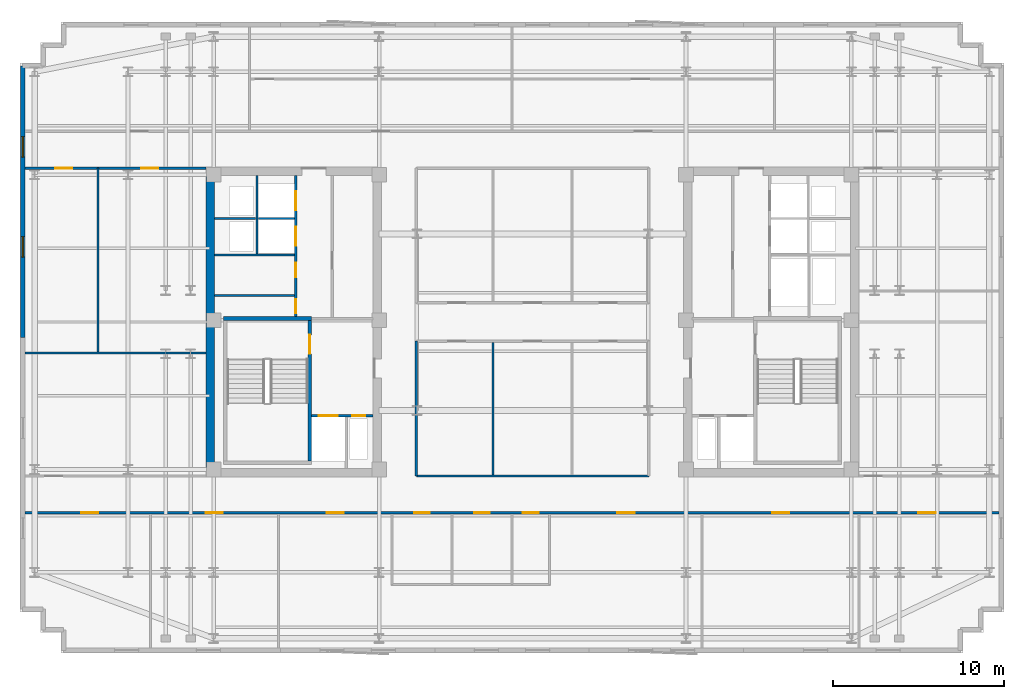
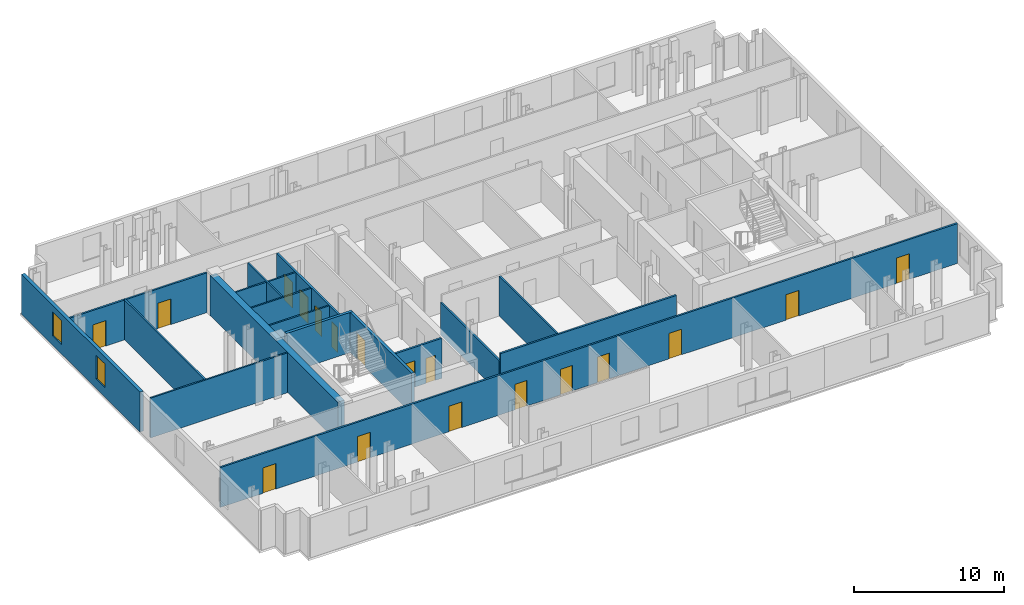
# One storey, part 4 of 9: 18 doors, 18 walls, 2 windows, 20 openings.
"""IFC4 building model written with IfcOpenShell, lengths in metres."""

from ifc_helpers import new_model, si_unit, direction, frame, frame_2d, origin, place, context, subcontext, project, spatial, rectangle, extrude, material, layer, layer_set, type_object, element, fill, save


model = new_model("IFC4")

# Units and contexts
model_context = context("Model", 3, precision=1e-05, world=origin(), true_north=direction((0.0, 1.0)))
body_context = subcontext(model_context, "Body", "Model", "MODEL_VIEW")
ifc_project = project(units=[si_unit("LENGTHUNIT", "METRE"), si_unit("AREAUNIT", "SQUARE_METRE"), si_unit("VOLUMEUNIT", "CUBIC_METRE"), si_unit("PLANEANGLEUNIT", "RADIAN"), si_unit("MASSUNIT", "GRAM", prefix="KILO")], contexts=[model_context])

# Site, building, storey
site_placement = place(None, origin())
site = spatial("IfcSite", under=ifc_project, at=site_placement, CompositionType="ELEMENT")
building_placement = place(site_placement, origin())
building = spatial("IfcBuilding", under=site, at=building_placement, Name="Velakula Bourse", CompositionType="ELEMENT")
storey_placement = place(building_placement, frame((0.0, 0.0, 229.199951171875)))
storey = spatial("IfcBuildingStorey", under=building, at=storey_placement, Name="L62", CompositionType="ELEMENT", Elevation=229.199951171875)

# Wall, opening, door
ifc_material_1 = material(Name="Concrete M50 (fck 50 MPa)", Category="concrete")
ifc_layer_1 = layer(ifc_material_1, 0.2099609375, Name="Concrete M50 (fck 50 MPa)", Category="concrete")
ifc_layer_set_1 = layer_set([ifc_layer_1], Name="Concrete M50 (fck 50 MPa)")
wall_type_1 = type_object("IfcWallType", Name="WL-CORE-210", PredefinedType="SHEAR", material=ifc_layer_set_1)
wall_1_placement = place(storey_placement, frame((-12.9951171875, -8.10009765625, 0.0), z_axis=(0.0, 0.0, 1.0), x_axis=(0.0, 1.0, 0.0)))
wall_1 = element("IfcWall", 1, at=wall_1_placement, inside=storey, type_object=wall_type_1, Name="L62 Core W Stairwell Shear Wall IN", PredefinedType="SHEAR", context=body_context, shape_type="SweptSolid", body=[
    extrude(rectangle(XDim=8.2001953125, YDim=0.2099609375, at=frame_2d((4.10009765625, 0.0))), origin(), (0.0, 0.0, 1.0), 3.27001953125),
])
opening_1_placement = place(wall_1_placement, frame((6.25, 0.0, 0.0)))
opening_1 = element("IfcOpeningElement", 2, at=opening_1_placement, cuts=wall_1, Name="Opening D-STW1", PredefinedType="OPENING", context=body_context, shape_type="SweptSolid", body=[
    extrude(rectangle(XDim=1.10009765625, YDim=2.14990234375, at=frame_2d((0.550048828125, 1.074951171875))), frame((0.0, 0.114990234375, 0.0), z_axis=(0.0, -1.0, 0.0), x_axis=(1.0, 0.0, 0.0)), (0.0, 0.0, 1.0), 0.22998046875),
])
ifc_material_2 = material(Name="Galvanised painted hollow steel fire door", Category="steel")
door_type_1 = type_object("IfcDoorType", Name="DR-FD120-1100x2150", OperationType="NOTDEFINED", PredefinedType="DOOR", material=ifc_material_2)
door_1_placement = place(opening_1_placement, origin())
door_1 = element("IfcDoor", 3, at=door_1_placement, inside=storey, type_object=door_type_1, Name="L62 Stair ST-W1 Fire Door", OperationType="SINGLE_SWING_LEFT", OverallHeight=2.14990234375, OverallWidth=1.10009765625, PredefinedType="DOOR", context=body_context, shape_type="SweptSolid", body=[
    extrude(rectangle(XDim=1.10009765625, YDim=2.14990234375, at=frame_2d((0.550048828125, 1.074951171875))), frame((0.0, 0.02490234375, 0.0), z_axis=(0.0, -1.0, 0.0), x_axis=(1.0, 0.0, 0.0)), (0.0, 0.0, 1.0), 0.050048828125),
])
fill(opening_1, door_1)

# Walls
wall_2_placement = place(storey_placement, frame((-12.889892578125, 0.205078125, 0.0), z_axis=(0.0, 0.0, 1.0), x_axis=(-1.0, 0.0, 0.0)))
element("IfcWall", 4, at=wall_2_placement, inside=storey, type_object=wall_type_1, Name="L62 Core W Stairwell Shear Wall N", PredefinedType="SHEAR", context=body_context, shape_type="SweptSolid", body=[
    extrude(rectangle(XDim=5.14013671875, YDim=0.2099609375, at=frame_2d((2.570068359375, 0.0))), origin(), (0.0, 0.0, 1.0), 3.27001953125),
])
ifc_layer_2 = layer(ifc_material_1, 0.5, Name="Concrete M50 (fck 50 MPa)", Category="concrete")
ifc_layer_set_2 = layer_set([ifc_layer_2], Name="Concrete M50 (fck 50 MPa)")
wall_type_2 = type_object("IfcWallType", Name="WL-CORE-500", PredefinedType="SHEAR", material=ifc_layer_set_2)
wall_3_placement = place(storey_placement, frame((-18.800048828125, -8.550048828125, 0.0), z_axis=(0.0, 0.0, 1.0), x_axis=(0.0, 1.0, 0.0)))
element("IfcWall", 5, at=wall_3_placement, inside=storey, type_object=wall_type_2, Name="L62 Core W Shear Wall W", PredefinedType="SHEAR", context=body_context, shape_type="SweptSolid", body=[
    extrude(rectangle(XDim=17.10009765625, YDim=0.5, at=frame_2d((8.550048828125, 0.0))), origin(), (0.0, 0.0, 1.0), 3.27001953125),
])

# Wall, openings, windows
ifc_material_3 = material(Name="Buff kilned clay facing brick masonry", Category="masonry")
ifc_layer_3 = layer(ifc_material_3, 0.260009765625, Name="Buff kilned clay facing brick masonry", Category="masonry")
ifc_layer_set_3 = layer_set([ifc_layer_3], Name="Buff kilned clay facing brick masonry")
wall_type_3 = type_object("IfcWallType", Name="WL-EXT-BRK-260", PredefinedType="STANDARD", material=ifc_layer_set_3)
wall_4_placement = place(storey_placement, frame((-29.75, -0.89990234375, 0.0), z_axis=(0.0, 0.0, 1.0), x_axis=(0.0, 1.0, 0.0)))
wall_4 = element("IfcWall", 6, at=wall_4_placement, inside=storey, type_object=wall_type_3, Name="L62 W Brick End Wall W2", PredefinedType="STANDARD", context=body_context, shape_type="SweptSolid", body=[
    extrude(rectangle(XDim=15.849853515625, YDim=0.260009765625, at=frame_2d((7.9248046875, 0.0))), origin(), (0.0, 0.0, 1.0), 3.25),
])
opening_2_placement = place(wall_4_placement, frame((4.683349609375, 0.0, 0.760009765625)))
opening_2 = element("IfcOpeningElement", 7, at=opening_2_placement, cuts=wall_4, Name="Opening W-04", PredefinedType="OPENING", context=body_context, shape_type="SweptSolid", body=[
    extrude(rectangle(XDim=1.199951171875, YDim=1.949951171875, at=frame_2d((0.60009765625, 0.97509765625))), frame((0.0, 0.139892578125, 0.0), z_axis=(0.0, -1.0, 0.0), x_axis=(1.0, 0.0, 0.0)), (0.0, 0.0, 1.0), 0.280029296875),
])
opening_3_placement = place(wall_4_placement, frame((10.5166015625, 0.0, 0.760009765625)))
opening_3 = element("IfcOpeningElement", 8, at=opening_3_placement, cuts=wall_4, Name="Opening W-04", PredefinedType="OPENING", context=body_context, shape_type="SweptSolid", body=[
    extrude(rectangle(XDim=1.199951171875, YDim=1.949951171875, at=frame_2d((0.60009765625, 0.97509765625))), frame((0.0, 0.139892578125, 0.0), z_axis=(0.0, -1.0, 0.0), x_axis=(1.0, 0.0, 0.0)), (0.0, 0.0, 1.0), 0.280029296875),
])
ifc_material_4 = material(Name="Double-glazed solar-control Low-E glass", Category="glass")
window_type = type_object("IfcWindowType", Name="WIN-TWR-1200x2100", PartitioningType="SINGLE_PANEL", PredefinedType="WINDOW", material=ifc_material_4)
window_1_placement = place(opening_2_placement, origin())
window_1 = element("IfcWindow", 9, at=window_1_placement, inside=storey, type_object=window_type, Name="L62 Deep-Set Recessed Window 1", OverallHeight=1.949951171875, OverallWidth=1.199951171875, PartitioningType="SINGLE_PANEL", PredefinedType="WINDOW", context=body_context, shape_type="SweptSolid", body=[
    extrude(rectangle(XDim=1.199951171875, YDim=1.949951171875, at=frame_2d((0.60009765625, 0.97509765625))), frame((0.0, 0.030029296875, 0.0), z_axis=(0.0, -1.0, 0.0), x_axis=(1.0, 0.0, 0.0)), (0.0, 0.0, 1.0), 0.06005859375),
])
fill(opening_2, window_1)
window_2_placement = place(opening_3_placement, origin())
window_2 = element("IfcWindow", 10, at=window_2_placement, inside=storey, type_object=window_type, Name="L62 Deep-Set Recessed Window 2", OverallHeight=1.949951171875, OverallWidth=1.199951171875, PartitioningType="SINGLE_PANEL", PredefinedType="WINDOW", context=body_context, shape_type="SweptSolid", body=[
    extrude(rectangle(XDim=1.199951171875, YDim=1.949951171875, at=frame_2d((0.60009765625, 0.97509765625))), frame((0.0, 0.030029296875, 0.0), z_axis=(0.0, -1.0, 0.0), x_axis=(1.0, 0.0, 0.0)), (0.0, 0.0, 1.0), 0.06005859375),
])
fill(opening_3, window_2)

# Walls
ifc_material_5 = material(Name="Fire-rated double-layer gypsum drywall partition", Category="gypsum")
ifc_layer_4 = layer(ifc_material_5, 0.1201171875, Name="Fire-rated double-layer gypsum drywall partition", Category="gypsum")
ifc_layer_set_4 = layer_set([ifc_layer_4], Name="Fire-rated double-layer gypsum drywall partition")
wall_type_4 = type_object("IfcWallType", Name="WL-PART-120", PredefinedType="STANDARD", material=ifc_layer_set_4)
wall_5_placement = place(storey_placement, frame((-18.550048828125, 3.919921875, 0.0), z_axis=(0.0, 0.0, 1.0), x_axis=(1.0, 0.0, 0.0)))
element("IfcWall", 11, at=wall_5_placement, inside=storey, type_object=wall_type_4, Name="L62 Interior Partition WL-CRW-L62-HI-S", PredefinedType="STANDARD", context=body_context, shape_type="SweptSolid", body=[
    extrude(rectangle(XDim=4.650146484375, YDim=0.1201171875, at=frame_2d((2.3251953125, 0.0))), origin(), (0.0, 0.0, 1.0), 3.25),
])
wall_6_placement = place(storey_placement, frame((-18.550048828125, 6.030029296875, 0.0), z_axis=(0.0, 0.0, 1.0), x_axis=(1.0, 0.0, 0.0)))
element("IfcWall", 12, at=wall_6_placement, inside=storey, type_object=wall_type_4, Name="L62 Interior Partition WL-CRW-L62-RIS-MID", PredefinedType="STANDARD", context=body_context, shape_type="SweptSolid", body=[
    extrude(rectangle(XDim=2.400146484375, YDim=0.1201171875, at=frame_2d((1.2001953125, 0.0))), origin(), (0.0, 0.0, 1.0), 3.25),
])
wall_7_placement = place(storey_placement, frame((-16.074951171875, 3.97998046875, 0.0), z_axis=(0.0, 0.0, 1.0), x_axis=(0.0, 1.0, 0.0)))
element("IfcWall", 13, at=wall_7_placement, inside=storey, type_object=wall_type_4, Name="L62 Interior Partition WL-CRW-L62-RIS-F", PredefinedType="STANDARD", context=body_context, shape_type="SweptSolid", body=[
    extrude(rectangle(XDim=4.570068359375, YDim=0.1201171875, at=frame_2d((2.28515625, 0.0))), origin(), (0.0, 0.0, 1.0), 3.25),
])
wall_8_placement = place(storey_placement, frame((-16.0, 6.030029296875, 0.0), z_axis=(0.0, 0.0, 1.0), x_axis=(1.0, 0.0, 0.0)))
element("IfcWall", 14, at=wall_8_placement, inside=storey, type_object=wall_type_4, Name="L62 Interior Partition WL-CRW-L62-HI-DIV", PredefinedType="STANDARD", context=body_context, shape_type="SweptSolid", body=[
    extrude(rectangle(XDim=2.10009765625, YDim=0.1201171875, at=frame_2d((1.050048828125, 0.0))), origin(), (0.0, 0.0, 1.0), 3.25),
])
wall_9_placement = place(storey_placement, frame((-18.550048828125, 1.550048828125, 0.0), z_axis=(0.0, 0.0, 1.0), x_axis=(1.0, 0.0, 0.0)))
element("IfcWall", 15, at=wall_9_placement, inside=storey, type_object=wall_type_4, Name="L62 Interior Partition WL-CRW-L62-K1", PredefinedType="STANDARD", context=body_context, shape_type="SweptSolid", body=[
    extrude(rectangle(XDim=4.650146484375, YDim=0.1201171875, at=frame_2d((2.3251953125, 0.0))), origin(), (0.0, 0.0, 1.0), 3.25),
])
wall_10_placement = place(storey_placement, frame((-29.6201171875, -1.800048828125, 0.0), z_axis=(0.0, 0.0, 1.0), x_axis=(1.0, 0.0, 0.0)))
element("IfcWall", 16, at=wall_10_placement, inside=storey, type_object=wall_type_4, Name="L62 Interior Partition WL-INT-L62-W-H", PredefinedType="STANDARD", context=body_context, shape_type="SweptSolid", body=[
    extrude(rectangle(XDim=10.570068359375, YDim=0.1201171875, at=frame_2d((5.28515625, 0.0))), origin(), (0.0, 0.0, 1.0), 3.25),
])
wall_11_placement = place(storey_placement, frame((-25.35498046875, -1.739990234375, 0.0), z_axis=(0.0, 0.0, 1.0), x_axis=(0.0, 1.0, 0.0)))
element("IfcWall", 17, at=wall_11_placement, inside=storey, type_object=wall_type_4, Name="L62 Interior Partition WL-INT-L62-W-VN", PredefinedType="STANDARD", context=body_context, shape_type="SweptSolid", body=[
    extrude(rectangle(XDim=10.719970703125, YDim=0.1201171875, at=frame_2d((5.35986328125, 0.0))), origin(), (0.0, 0.0, 1.0), 3.25),
])

# Wall, openings, doors
ifc_layer_5 = layer(ifc_material_5, 0.139892578125, Name="Fire-rated double-layer gypsum drywall partition", Category="gypsum")
ifc_layer_set_5 = layer_set([ifc_layer_5], Name="Fire-rated double-layer gypsum drywall partition")
wall_type_5 = type_object("IfcWallType", Name="WL-PART-140", PredefinedType="STANDARD", material=ifc_layer_set_5)
wall_12_placement = place(storey_placement, frame((-29.6201171875, -11.1201171875, 0.0), z_axis=(0.0, 0.0, 1.0), x_axis=(1.0, 0.0, 0.0)))
wall_12 = element("IfcWall", 18, at=wall_12_placement, inside=storey, type_object=wall_type_5, Name="L62 Interior Partition WL-INT-L62-S-CORR", PredefinedType="STANDARD", context=body_context, shape_type="SweptSolid", body=[
    extrude(rectangle(XDim=56.840087890625, YDim=0.139892578125, at=frame_2d((28.419921875, 0.0))), origin(), (0.0, 0.0, 1.0), 3.25),
])
opening_4_placement = place(wall_12_placement, frame((22.7099609375, 0.0, 0.0)))
opening_4 = element("IfcOpeningElement", 19, at=opening_4_placement, cuts=wall_12, Name="Opening D-WT1", PredefinedType="OPENING", context=body_context, shape_type="SweptSolid", body=[
    extrude(rectangle(XDim=0.919921875, YDim=2.080078125, at=frame_2d((0.4599609375, 1.0400390625))), frame((0.0, 0.079833984375, 0.0), z_axis=(0.0, -1.0, 0.0), x_axis=(1.0, 0.0, 0.0)), (0.0, 0.0, 1.0), 0.159912109375),
])
opening_5_placement = place(wall_12_placement, frame((26.2099609375, 0.0, 0.0)))
opening_5 = element("IfcOpeningElement", 20, at=opening_5_placement, cuts=wall_12, Name="Opening D-WT1", PredefinedType="OPENING", context=body_context, shape_type="SweptSolid", body=[
    extrude(rectangle(XDim=0.919921875, YDim=2.080078125, at=frame_2d((0.4599609375, 1.0400390625))), frame((0.0, 0.079833984375, 0.0), z_axis=(0.0, -1.0, 0.0), x_axis=(1.0, 0.0, 0.0)), (0.0, 0.0, 1.0), 0.159912109375),
])
opening_6_placement = place(wall_12_placement, frame((29.06005859375, 0.0, 0.0)))
opening_6 = element("IfcOpeningElement", 21, at=opening_6_placement, cuts=wall_12, Name="Opening D-WC1", PredefinedType="OPENING", context=body_context, shape_type="SweptSolid", body=[
    extrude(rectangle(XDim=0.919921875, YDim=2.080078125, at=frame_2d((0.4599609375, 1.0400390625))), frame((0.0, 0.079833984375, 0.0), z_axis=(0.0, -1.0, 0.0), x_axis=(1.0, 0.0, 0.0)), (0.0, 0.0, 1.0), 0.159912109375),
])
opening_7_placement = place(wall_12_placement, frame((3.287109375, 0.0, 0.0)))
opening_7 = element("IfcOpeningElement", 22, at=opening_7_placement, cuts=wall_12, Name="Opening D-OF1", PredefinedType="OPENING", context=body_context, shape_type="SweptSolid", body=[
    extrude(rectangle(XDim=1.0, YDim=2.080078125, at=frame_2d((0.5, 1.0400390625))), frame((0.0, 0.079833984375, 0.0), z_axis=(0.0, -1.0, 0.0), x_axis=(1.0, 0.0, 0.0)), (0.0, 0.0, 1.0), 0.159912109375),
])
opening_8_placement = place(wall_12_placement, frame((10.56005859375, 0.0, 0.0)))
opening_8 = element("IfcOpeningElement", 23, at=opening_8_placement, cuts=wall_12, Name="Opening D-OF1", PredefinedType="OPENING", context=body_context, shape_type="SweptSolid", body=[
    extrude(rectangle(XDim=1.0, YDim=2.080078125, at=frame_2d((0.5, 1.0400390625))), frame((0.0, 0.079833984375, 0.0), z_axis=(0.0, -1.0, 0.0), x_axis=(1.0, 0.0, 0.0)), (0.0, 0.0, 1.0), 0.159912109375),
])
opening_9_placement = place(wall_12_placement, frame((17.60888671875, 0.0, 0.0)))
opening_9 = element("IfcOpeningElement", 24, at=opening_9_placement, cuts=wall_12, Name="Opening D-OF1", PredefinedType="OPENING", context=body_context, shape_type="SweptSolid", body=[
    extrude(rectangle(XDim=1.0, YDim=2.080078125, at=frame_2d((0.5, 1.0400390625))), frame((0.0, 0.079833984375, 0.0), z_axis=(0.0, -1.0, 0.0), x_axis=(1.0, 0.0, 0.0)), (0.0, 0.0, 1.0), 0.159912109375),
])
opening_10_placement = place(wall_12_placement, frame((34.56689453125, 0.0, 0.0)))
opening_10 = element("IfcOpeningElement", 25, at=opening_10_placement, cuts=wall_12, Name="Opening D-OF1", PredefinedType="OPENING", context=body_context, shape_type="SweptSolid", body=[
    extrude(rectangle(XDim=1.0, YDim=2.080078125, at=frame_2d((0.5, 1.0400390625))), frame((0.0, 0.079833984375, 0.0), z_axis=(0.0, -1.0, 0.0), x_axis=(1.0, 0.0, 0.0)), (0.0, 0.0, 1.0), 0.159912109375),
])
opening_11_placement = place(wall_12_placement, frame((43.592041015625, 0.0, 0.0)))
opening_11 = element("IfcOpeningElement", 26, at=opening_11_placement, cuts=wall_12, Name="Opening D-OF1", PredefinedType="OPENING", context=body_context, shape_type="SweptSolid", body=[
    extrude(rectangle(XDim=1.0, YDim=2.080078125, at=frame_2d((0.5, 1.0400390625))), frame((0.0, 0.079833984375, 0.0), z_axis=(0.0, -1.0, 0.0), x_axis=(1.0, 0.0, 0.0)), (0.0, 0.0, 1.0), 0.159912109375),
])
opening_12_placement = place(wall_12_placement, frame((52.12890625, 0.0, 0.0)))
opening_12 = element("IfcOpeningElement", 27, at=opening_12_placement, cuts=wall_12, Name="Opening D-OF1", PredefinedType="OPENING", context=body_context, shape_type="SweptSolid", body=[
    extrude(rectangle(XDim=1.0, YDim=2.080078125, at=frame_2d((0.5, 1.0400390625))), frame((0.0, 0.079833984375, 0.0), z_axis=(0.0, -1.0, 0.0), x_axis=(1.0, 0.0, 0.0)), (0.0, 0.0, 1.0), 0.159912109375),
])
ifc_material_6 = material(Name="Fire-rated hardwood flush architectural door", Category="wood")
door_type_2 = type_object("IfcDoorType", Name="DR-OFF-1000", OperationType="NOTDEFINED", PredefinedType="DOOR", material=ifc_material_6)
door_2_placement = place(opening_7_placement, origin())
door_2 = element("IfcDoor", 28, at=door_2_placement, inside=storey, type_object=door_type_2, Name="L62 Quiet Financial Library Door", OperationType="SINGLE_SWING_RIGHT", OverallHeight=2.080078125, OverallWidth=1.0, PredefinedType="DOOR", context=body_context, shape_type="SweptSolid", body=[
    extrude(rectangle(XDim=1.0, YDim=2.080078125, at=frame_2d((0.5, 1.0400390625))), frame((0.0, 0.02490234375, 0.0), z_axis=(0.0, -1.0, 0.0), x_axis=(1.0, 0.0, 0.0)), (0.0, 0.0, 1.0), 0.050048828125),
])
fill(opening_7, door_2)
door_3_placement = place(opening_8_placement, origin())
door_3 = element("IfcDoor", 29, at=door_3_placement, inside=storey, type_object=door_type_2, Name="L62 Bullion Assay Office Door", OperationType="SINGLE_SWING_LEFT", OverallHeight=2.080078125, OverallWidth=1.0, PredefinedType="DOOR", context=body_context, shape_type="SweptSolid", body=[
    extrude(rectangle(XDim=1.0, YDim=2.080078125, at=frame_2d((0.5, 1.0400390625))), frame((0.0, 0.02490234375, 0.0), z_axis=(0.0, -1.0, 0.0), x_axis=(1.0, 0.0, 0.0)), (0.0, 0.0, 1.0), 0.050048828125),
])
fill(opening_8, door_3)
door_4_placement = place(opening_9_placement, origin())
door_4 = element("IfcDoor", 30, at=door_4_placement, inside=storey, type_object=door_type_2, Name="L62 Executive Boardroom Door", OperationType="SINGLE_SWING_RIGHT", OverallHeight=2.080078125, OverallWidth=1.0, PredefinedType="DOOR", context=body_context, shape_type="SweptSolid", body=[
    extrude(rectangle(XDim=1.0, YDim=2.080078125, at=frame_2d((0.5, 1.0400390625))), frame((0.0, 0.02490234375, 0.0), z_axis=(0.0, -1.0, 0.0), x_axis=(1.0, 0.0, 0.0)), (0.0, 0.0, 1.0), 0.050048828125),
])
fill(opening_9, door_4)
door_5_placement = place(opening_10_placement, origin())
door_5 = element("IfcDoor", 31, at=door_5_placement, inside=storey, type_object=door_type_2, Name="L62 Catering Servery Pantry Door", OperationType="SINGLE_SWING_LEFT", OverallHeight=2.080078125, OverallWidth=1.0, PredefinedType="DOOR", context=body_context, shape_type="SweptSolid", body=[
    extrude(rectangle(XDim=1.0, YDim=2.080078125, at=frame_2d((0.5, 1.0400390625))), frame((0.0, 0.02490234375, 0.0), z_axis=(0.0, -1.0, 0.0), x_axis=(1.0, 0.0, 0.0)), (0.0, 0.0, 1.0), 0.050048828125),
])
fill(opening_10, door_5)
door_6_placement = place(opening_11_placement, origin())
door_6 = element("IfcDoor", 32, at=door_6_placement, inside=storey, type_object=door_type_2, Name="L62 Quantitative Research Workspace Door", OperationType="SINGLE_SWING_RIGHT", OverallHeight=2.080078125, OverallWidth=1.0, PredefinedType="DOOR", context=body_context, shape_type="SweptSolid", body=[
    extrude(rectangle(XDim=1.0, YDim=2.080078125, at=frame_2d((0.5, 1.0400390625))), frame((0.0, 0.02490234375, 0.0), z_axis=(0.0, -1.0, 0.0), x_axis=(1.0, 0.0, 0.0)), (0.0, 0.0, 1.0), 0.050048828125),
])
fill(opening_11, door_6)
door_7_placement = place(opening_12_placement, origin())
door_7 = element("IfcDoor", 33, at=door_7_placement, inside=storey, type_object=door_type_2, Name="L62 Legal Counsel Office Door", OperationType="SINGLE_SWING_LEFT", OverallHeight=2.080078125, OverallWidth=1.0, PredefinedType="DOOR", context=body_context, shape_type="SweptSolid", body=[
    extrude(rectangle(XDim=1.0, YDim=2.080078125, at=frame_2d((0.5, 1.0400390625))), frame((0.0, 0.02490234375, 0.0), z_axis=(0.0, -1.0, 0.0), x_axis=(1.0, 0.0, 0.0)), (0.0, 0.0, 1.0), 0.050048828125),
])
fill(opening_12, door_7)
door_type_3 = type_object("IfcDoorType", Name="DR-WC-950", OperationType="NOTDEFINED", PredefinedType="DOOR", material=ifc_material_6)
door_8_placement = place(opening_4_placement, origin())
door_8 = element("IfcDoor", 34, at=door_8_placement, inside=storey, type_object=door_type_3, Name="L62 Male Staff Toilet Door", OperationType="SINGLE_SWING_LEFT", OverallHeight=2.080078125, OverallWidth=0.919921875, PredefinedType="DOOR", context=body_context, shape_type="SweptSolid", body=[
    extrude(rectangle(XDim=0.919921875, YDim=2.080078125, at=frame_2d((0.4599609375, 1.0400390625))), frame((0.0, 0.02490234375, 0.0), z_axis=(0.0, -1.0, 0.0), x_axis=(1.0, 0.0, 0.0)), (0.0, 0.0, 1.0), 0.050048828125),
])
fill(opening_4, door_8)
door_9_placement = place(opening_5_placement, origin())
door_9 = element("IfcDoor", 35, at=door_9_placement, inside=storey, type_object=door_type_3, Name="L62 Female Staff Toilet Door", OperationType="SINGLE_SWING_RIGHT", OverallHeight=2.080078125, OverallWidth=0.919921875, PredefinedType="DOOR", context=body_context, shape_type="SweptSolid", body=[
    extrude(rectangle(XDim=0.919921875, YDim=2.080078125, at=frame_2d((0.4599609375, 1.0400390625))), frame((0.0, 0.02490234375, 0.0), z_axis=(0.0, -1.0, 0.0), x_axis=(1.0, 0.0, 0.0)), (0.0, 0.0, 1.0), 0.050048828125),
])
fill(opening_5, door_9)
door_10_placement = place(opening_6_placement, origin())
door_10 = element("IfcDoor", 36, at=door_10_placement, inside=storey, type_object=door_type_3, Name="L62 Accessible WC Door", OperationType="SINGLE_SWING_LEFT", OverallHeight=2.080078125, OverallWidth=0.919921875, PredefinedType="DOOR", context=body_context, shape_type="SweptSolid", body=[
    extrude(rectangle(XDim=0.919921875, YDim=2.080078125, at=frame_2d((0.4599609375, 1.0400390625))), frame((0.0, 0.02490234375, 0.0), z_axis=(0.0, -1.0, 0.0), x_axis=(1.0, 0.0, 0.0)), (0.0, 0.0, 1.0), 0.050048828125),
])
fill(opening_6, door_10)

wall_13_placement = place(storey_placement, frame((-29.6201171875, 8.97998046875, 0.0), z_axis=(0.0, 0.0, 1.0), x_axis=(1.0, 0.0, 0.0)))
wall_13 = element("IfcWall", 37, at=wall_13_placement, inside=storey, type_object=wall_type_5, Name="L62 Interior Partition WL-INT-L62-W-NC", PredefinedType="STANDARD", context=body_context, shape_type="SweptSolid", body=[
    extrude(rectangle(XDim=10.570068359375, YDim=0.139892578125, at=frame_2d((5.28515625, 0.0))), origin(), (0.0, 0.0, 1.0), 3.25),
])
opening_13_placement = place(wall_13_placement, frame((1.762451171875, 0.0, 0.0)))
opening_13 = element("IfcOpeningElement", 38, at=opening_13_placement, cuts=wall_13, Name="Opening D-OF1", PredefinedType="OPENING", context=body_context, shape_type="SweptSolid", body=[
    extrude(rectangle(XDim=1.0, YDim=2.080078125, at=frame_2d((0.5, 1.0400390625))), frame((0.0, 0.079833984375, 0.0), z_axis=(0.0, -1.0, 0.0), x_axis=(1.0, 0.0, 0.0)), (0.0, 0.0, 1.0), 0.159912109375),
])
opening_14_placement = place(wall_13_placement, frame((6.78759765625, 0.0, 0.0)))
opening_14 = element("IfcOpeningElement", 39, at=opening_14_placement, cuts=wall_13, Name="Opening D-OF1", PredefinedType="OPENING", context=body_context, shape_type="SweptSolid", body=[
    extrude(rectangle(XDim=1.0, YDim=2.080078125, at=frame_2d((0.5, 1.0400390625))), frame((0.0, 0.079833984375, 0.0), z_axis=(0.0, -1.0, 0.0), x_axis=(1.0, 0.0, 0.0)), (0.0, 0.0, 1.0), 0.159912109375),
])
door_11_placement = place(opening_13_placement, origin())
door_11 = element("IfcDoor", 40, at=door_11_placement, inside=storey, type_object=door_type_2, Name="L62 Legal Counsel Office Door", OperationType="SINGLE_SWING_RIGHT", OverallHeight=2.080078125, OverallWidth=1.0, PredefinedType="DOOR", context=body_context, shape_type="SweptSolid", body=[
    extrude(rectangle(XDim=1.0, YDim=2.080078125, at=frame_2d((0.5, 1.0400390625))), frame((0.0, 0.02490234375, 0.0), z_axis=(0.0, -1.0, 0.0), x_axis=(1.0, 0.0, 0.0)), (0.0, 0.0, 1.0), 0.050048828125),
])
fill(opening_13, door_11)
door_12_placement = place(opening_14_placement, origin())
door_12 = element("IfcDoor", 41, at=door_12_placement, inside=storey, type_object=door_type_2, Name="L62 Yield Curve Seminar Room Door", OperationType="SINGLE_SWING_LEFT", OverallHeight=2.080078125, OverallWidth=1.0, PredefinedType="DOOR", context=body_context, shape_type="SweptSolid", body=[
    extrude(rectangle(XDim=1.0, YDim=2.080078125, at=frame_2d((0.5, 1.0400390625))), frame((0.0, 0.02490234375, 0.0), z_axis=(0.0, -1.0, 0.0), x_axis=(1.0, 0.0, 0.0)), (0.0, 0.0, 1.0), 0.050048828125),
])
fill(opening_14, door_12)

# Walls
wall_14_placement = place(storey_placement, frame((-6.780029296875, -8.97998046875, 0.0), z_axis=(0.0, 0.0, 1.0), x_axis=(1.0, 0.0, 0.0)))
element("IfcWall", 42, at=wall_14_placement, inside=storey, type_object=wall_type_5, Name="L62 Interior Partition WL-INT-L62-MS-OUT", PredefinedType="STANDARD", context=body_context, shape_type="SweptSolid", body=[
    extrude(rectangle(XDim=13.56005859375, YDim=0.139892578125, at=frame_2d((6.780029296875, 0.0))), origin(), (0.0, 0.0, 1.0), 3.25),
])
wall_15_placement = place(storey_placement, frame((-6.780029296875, -8.97998046875, 0.0), z_axis=(0.0, 0.0, 1.0), x_axis=(0.0, 1.0, 0.0)))
element("IfcWall", 43, at=wall_15_placement, inside=storey, type_object=wall_type_5, Name="L62 Interior Partition WL-INT-L62-MS-W", PredefinedType="STANDARD", context=body_context, shape_type="SweptSolid", body=[
    extrude(rectangle(XDim=7.85986328125, YDim=0.139892578125, at=frame_2d((3.929931640625, 0.0))), origin(), (0.0, 0.0, 1.0), 2.64501953125),
])
wall_16_placement = place(storey_placement, frame((-2.300048828125, -8.909912109375, 0.0), z_axis=(0.0, 0.0, 1.0), x_axis=(0.0, 1.0, 0.0)))
element("IfcWall", 44, at=wall_16_placement, inside=storey, type_object=wall_type_5, Name="L62 Interior Partition WL-INT-L62-MS-V1", PredefinedType="STANDARD", context=body_context, shape_type="SweptSolid", body=[
    extrude(rectangle(XDim=7.719970703125, YDim=0.1201171875, at=frame_2d((3.85986328125, 0.0))), origin(), (0.0, 0.0, 1.0), 3.25),
])

# Wall, openings, doors
ifc_material_7 = material(Name="Autoclaved aerated concrete blockwork masonry", Category="masonry")
ifc_layer_6 = layer(ifc_material_7, 0.14990234375, Name="Autoclaved aerated concrete blockwork masonry", Category="masonry")
ifc_layer_set_6 = layer_set([ifc_layer_6], Name="Autoclaved aerated concrete blockwork masonry")
wall_type_6 = type_object("IfcWallType", Name="WL-SHAFT-150", PredefinedType="STANDARD", material=ifc_layer_set_6)
wall_17_placement = place(storey_placement, frame((-12.89501953125, -5.47509765625, 0.0), z_axis=(0.0, 0.0, 1.0), x_axis=(1.0, 0.0, 0.0)))
wall_17 = element("IfcWall", 45, at=wall_17_placement, inside=storey, type_object=wall_type_6, Name="L62 Interior Partition WL-CRW-L62-FFL-N", PredefinedType="STANDARD", context=body_context, shape_type="SweptSolid", body=[
    extrude(rectangle(XDim=3.594970703125, YDim=0.14990234375, at=frame_2d((1.79736328125, 0.0))), origin(), (0.0, 0.0, 1.0), 3.25),
])
opening_15_placement = place(wall_17_placement, frame((0.419921875, 0.0, 0.0)))
opening_15 = element("IfcOpeningElement", 46, at=opening_15_placement, cuts=wall_17, Name="Opening LD-FFL-1", PredefinedType="OPENING", context=body_context, shape_type="SweptSolid", body=[
    extrude(rectangle(XDim=1.10009765625, YDim=2.14990234375, at=frame_2d((0.550048828125, 1.074951171875))), frame((0.0, 0.0849609375, 0.0), z_axis=(0.0, -1.0, 0.0), x_axis=(1.0, 0.0, 0.0)), (0.0, 0.0, 1.0), 0.169921875),
])
opening_16_placement = place(wall_17_placement, frame((2.3701171875, 0.0, 0.0)))
opening_16 = element("IfcOpeningElement", 47, at=opening_16_placement, cuts=wall_17, Name="Opening D-RS1", PredefinedType="OPENING", context=body_context, shape_type="SweptSolid", body=[
    extrude(rectangle(XDim=0.75, YDim=2.050048828125, at=frame_2d((0.375, 1.02490234375))), frame((0.0, 0.0849609375, 0.0), z_axis=(0.0, -1.0, 0.0), x_axis=(1.0, 0.0, 0.0)), (0.0, 0.0, 1.0), 0.169921875),
])
door_type_4 = type_object("IfcDoorType", Name="DR-RISER-800", OperationType="NOTDEFINED", PredefinedType="DOOR", material=ifc_material_2)
door_13_placement = place(opening_16_placement, origin())
door_13 = element("IfcDoor", 48, at=door_13_placement, inside=storey, type_object=door_type_4, Name="L62 Fire Riser Access Door", OperationType="SINGLE_SWING_LEFT", OverallHeight=2.050048828125, OverallWidth=0.75, PredefinedType="DOOR", context=body_context, shape_type="SweptSolid", body=[
    extrude(rectangle(XDim=0.75, YDim=2.050048828125, at=frame_2d((0.375, 1.02490234375))), frame((0.0, 0.02490234375, 0.0), z_axis=(0.0, -1.0, 0.0), x_axis=(1.0, 0.0, 0.0)), (0.0, 0.0, 1.0), 0.050048828125),
])
fill(opening_16, door_13)
ifc_material_8 = material(Name="Brushed grade 316 stainless steel", Category="steel")
door_type_5 = type_object("IfcDoorType", Name="DR-SLIDE-FFL-1100", OperationType="DOUBLE_DOOR_SLIDING", PredefinedType="DOOR", material=ifc_material_8)
door_14_placement = place(opening_15_placement, origin())
door_14 = element("IfcDoor", 49, at=door_14_placement, inside=storey, type_object=door_type_5, Name="L62 Firefighting Lift FFL-1 Sliding Landing Door", OperationType="DOUBLE_DOOR_SLIDING", OverallHeight=2.14990234375, OverallWidth=1.10009765625, PredefinedType="DOOR", context=body_context, shape_type="SweptSolid", body=[
    extrude(rectangle(XDim=1.10009765625, YDim=2.14990234375, at=frame_2d((0.550048828125, 1.074951171875))), frame((0.0, 0.02490234375, 0.0), z_axis=(0.0, -1.0, 0.0), x_axis=(1.0, 0.0, 0.0)), (0.0, 0.0, 1.0), 0.050048828125),
])
fill(opening_15, door_14)

wall_18_placement = place(storey_placement, frame((-13.824951171875, 0.27001953125, 0.0), z_axis=(0.0, 0.0, 1.0), x_axis=(0.0, 1.0, 0.0)))
wall_18 = element("IfcWall", 50, at=wall_18_placement, inside=storey, type_object=wall_type_6, Name="L62 Interior Partition WL-CRW-L62-OUT-F", PredefinedType="STANDARD", context=body_context, shape_type="SweptSolid", body=[
    extrude(rectangle(XDim=8.280029296875, YDim=0.14990234375, at=frame_2d((4.14013671875, 0.0))), origin(), (0.0, 0.0, 1.0), 3.25),
])
opening_17_placement = place(wall_18_placement, frame((4.175048828125, 0.0, 0.0)))
opening_17 = element("IfcOpeningElement", 51, at=opening_17_placement, cuts=wall_18, Name="Opening LD-P9", PredefinedType="OPENING", context=body_context, shape_type="SweptSolid", body=[
    extrude(rectangle(XDim=1.10009765625, YDim=2.10009765625, at=frame_2d((0.550048828125, 1.050048828125))), frame((0.0, 0.0849609375, 0.0), z_axis=(0.0, -1.0, 0.0), x_axis=(1.0, 0.0, 0.0)), (0.0, 0.0, 1.0), 0.169921875),
])
opening_18_placement = place(wall_18_placement, frame((6.2451171875, 0.0, 0.0)))
opening_18 = element("IfcOpeningElement", 52, at=opening_18_placement, cuts=wall_18, Name="Opening LD-P10", PredefinedType="OPENING", context=body_context, shape_type="SweptSolid", body=[
    extrude(rectangle(XDim=1.10009765625, YDim=2.10009765625, at=frame_2d((0.550048828125, 1.050048828125))), frame((0.0, 0.0849609375, 0.0), z_axis=(0.0, -1.0, 0.0), x_axis=(1.0, 0.0, 0.0)), (0.0, 0.0, 1.0), 0.169921875),
])
opening_19_placement = place(wall_18_placement, frame((0.25, 0.0, 0.0)))
opening_19 = element("IfcOpeningElement", 53, at=opening_19_placement, cuts=wall_18, Name="Opening D-CS1", PredefinedType="OPENING", context=body_context, shape_type="SweptSolid", body=[
    extrude(rectangle(XDim=0.800048828125, YDim=2.050048828125, at=frame_2d((0.39990234375, 1.02490234375))), frame((0.0, 0.0849609375, 0.0), z_axis=(0.0, -1.0, 0.0), x_axis=(1.0, 0.0, 0.0)), (0.0, 0.0, 1.0), 0.169921875),
])
opening_20_placement = place(wall_18_placement, frame((2.35009765625, 0.0, 0.0)))
opening_20 = element("IfcOpeningElement", 54, at=opening_20_placement, cuts=wall_18, Name="Opening D-CW1", PredefinedType="OPENING", context=body_context, shape_type="SweptSolid", body=[
    extrude(rectangle(XDim=0.85009765625, YDim=2.050048828125, at=frame_2d((0.425048828125, 1.02490234375))), frame((0.0, 0.0849609375, 0.0), z_axis=(0.0, -1.0, 0.0), x_axis=(1.0, 0.0, 0.0)), (0.0, 0.0, 1.0), 0.169921875),
])
door_type_6 = type_object("IfcDoorType", Name="DR-INT-850", OperationType="NOTDEFINED", PredefinedType="DOOR", material=ifc_material_6)
door_15_placement = place(opening_20_placement, origin())
door_15 = element("IfcDoor", 55, at=door_15_placement, inside=storey, type_object=door_type_6, Name="L62 Core Janitor Closet Door", OperationType="SINGLE_SWING_RIGHT", OverallHeight=2.050048828125, OverallWidth=0.85009765625, PredefinedType="DOOR", context=body_context, shape_type="SweptSolid", body=[
    extrude(rectangle(XDim=0.85009765625, YDim=2.050048828125, at=frame_2d((0.425048828125, 1.02490234375))), frame((0.0, 0.02490234375, 0.0), z_axis=(0.0, -1.0, 0.0), x_axis=(1.0, 0.0, 0.0)), (0.0, 0.0, 1.0), 0.050048828125),
])
fill(opening_20, door_15)
door_type_7 = type_object("IfcDoorType", Name="DR-RISER-800x2050", OperationType="NOTDEFINED", PredefinedType="DOOR", material=ifc_material_2)
door_16_placement = place(opening_19_placement, origin())
door_16 = element("IfcDoor", 56, at=door_16_placement, inside=storey, type_object=door_type_7, Name="L62 Core Cleaner Store Door", OperationType="SINGLE_SWING_LEFT", OverallHeight=2.050048828125, OverallWidth=0.800048828125, PredefinedType="DOOR", context=body_context, shape_type="SweptSolid", body=[
    extrude(rectangle(XDim=0.800048828125, YDim=2.050048828125, at=frame_2d((0.39990234375, 1.02490234375))), frame((0.0, 0.02490234375, 0.0), z_axis=(0.0, -1.0, 0.0), x_axis=(1.0, 0.0, 0.0)), (0.0, 0.0, 1.0), 0.050048828125),
])
fill(opening_19, door_16)
door_type_8 = type_object("IfcDoorType", Name="DR-SLIDE-LD-1100", OperationType="DOUBLE_DOOR_SLIDING", PredefinedType="DOOR", material=ifc_material_8)
door_17_placement = place(opening_17_placement, origin())
door_17 = element("IfcDoor", 57, at=door_17_placement, inside=storey, type_object=door_type_8, Name="L62 Passenger Lift P9 Sliding Landing Door", OperationType="DOUBLE_DOOR_SLIDING", OverallHeight=2.10009765625, OverallWidth=1.10009765625, PredefinedType="DOOR", context=body_context, shape_type="SweptSolid", body=[
    extrude(rectangle(XDim=1.10009765625, YDim=2.10009765625, at=frame_2d((0.550048828125, 1.050048828125))), frame((0.0, 0.02490234375, 0.0), z_axis=(0.0, -1.0, 0.0), x_axis=(1.0, 0.0, 0.0)), (0.0, 0.0, 1.0), 0.050048828125),
])
fill(opening_17, door_17)
door_18_placement = place(opening_18_placement, origin())
door_18 = element("IfcDoor", 58, at=door_18_placement, inside=storey, type_object=door_type_8, Name="L62 Passenger Lift P10 Sliding Landing Door", OperationType="DOUBLE_DOOR_SLIDING", OverallHeight=2.10009765625, OverallWidth=1.10009765625, PredefinedType="DOOR", context=body_context, shape_type="SweptSolid", body=[
    extrude(rectangle(XDim=1.10009765625, YDim=2.10009765625, at=frame_2d((0.550048828125, 1.050048828125))), frame((0.0, 0.02490234375, 0.0), z_axis=(0.0, -1.0, 0.0), x_axis=(1.0, 0.0, 0.0)), (0.0, 0.0, 1.0), 0.050048828125),
])
fill(opening_18, door_18)

save(model, "model.ifc")
